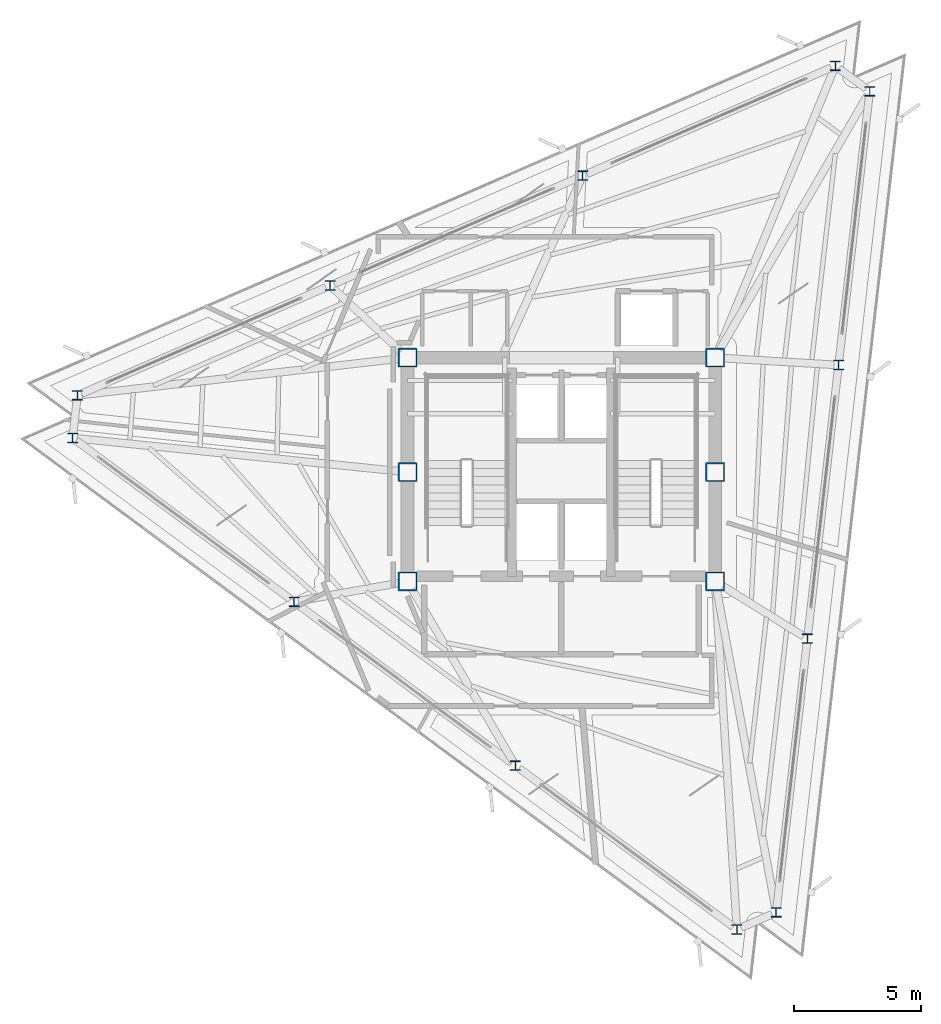
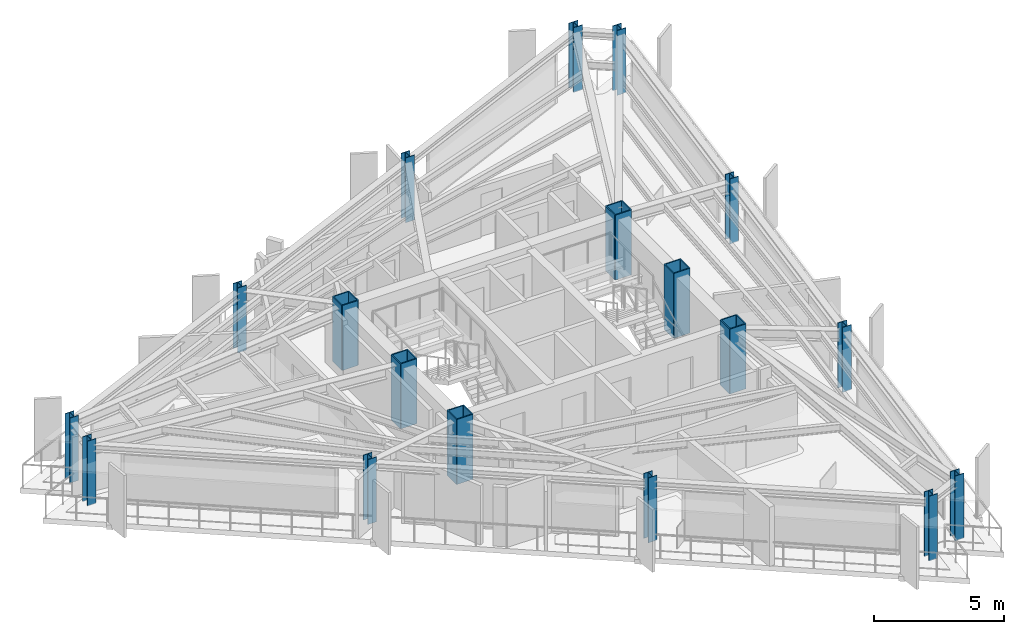
# One storey, part 1 of 10: 18 columns.
"""IFC4 building model written with IfcOpenShell, lengths in metres."""

import ifcopenshell
import ifcopenshell.guid

model = None  # the IFC model being written
_history = None  # IfcOwnerHistory: only IFC2X3 demands one
_inside = {}  # id of a spatial element -> (the spatial element, [elements in it])
_under = {}  # id of a project, library or spatial element -> (it, [spatial elements below it])
_declared = {}  # id of a project -> (the project, [libraries it declares])
_typed = {}  # id of a type object -> (the type object, [elements of that type])
_made_of = {}  # id of a material, layer set ... -> (it, [elements and type objects made of it])


def new_model(schema):
    """Start an empty IFC model of exactly this schema.

    Asked for "IFC4X3", IfcOpenShell would pick the latest addendum, in which some entities
    have other attributes; the version numbers below select the first issue.
    IFC2X3 requires an IfcOwnerHistory on every rooted entity: one is made here for all.
    """
    global model, _history
    if schema == "IFC4X3":
        model = ifcopenshell.file(schema_version=(4, 3, 0, 0))
    else:
        model = ifcopenshell.file(schema=schema)
    _inside.clear()
    _under.clear()
    _declared.clear()
    _typed.clear()
    _made_of.clear()
    _history = None
    if model.schema == "IFC2X3":
        org = make("IfcOrganization", Name="unknown")
        user = make(
            "IfcPersonAndOrganization",
            ThePerson=make("IfcPerson", FamilyName="unknown"),
            TheOrganization=org,
        )
        app = make(
            "IfcApplication",
            ApplicationDeveloper=org,
            Version="unknown",
            ApplicationFullName="unknown",
            ApplicationIdentifier="unknown",
        )
        _history = make(
            "IfcOwnerHistory",
            OwningUser=user,
            OwningApplication=app,
            ChangeAction="ADDED",
            CreationDate=0,
        )
    return model


def make(cls, **values):
    """One entity of the class cls with the attributes given. An attribute that is None is left unset."""
    return model.create_entity(
        cls, **{name: value for name, value in values.items() if value is not None}
    )


def rooted(cls, **values):
    """An entity with a GlobalId (a new one), such as an element, a storey or a relation."""
    return make(cls, GlobalId=ifcopenshell.guid.new(), OwnerHistory=_history, **values)


def si_unit(unit_type, name, prefix=None):
    """IfcSIUnit, for example si_unit("LENGTHUNIT", "METRE", prefix="MILLI")."""
    return make("IfcSIUnit", UnitType=unit_type, Prefix=prefix, Name=name)


def assignment(units):
    """IfcUnitAssignment: the units of a project."""
    return None if units is None else make("IfcUnitAssignment", Units=units)


def point(xyz):
    """IfcCartesianPoint."""
    return None if xyz is None else make("IfcCartesianPoint", Coordinates=xyz)


def direction(xyz):
    """IfcDirection."""
    return None if xyz is None else make("IfcDirection", DirectionRatios=xyz)


def frame(location, z_axis=None, x_axis=None):
    """IfcAxis2Placement3D, a coordinate frame: its origin and axes. An axis left out is left unset."""
    return make(
        "IfcAxis2Placement3D",
        Location=point(location),
        Axis=direction(z_axis),
        RefDirection=direction(x_axis),
    )


def frame_2d(location, x_axis=None):
    """IfcAxis2Placement2D, a coordinate frame in the plane: its origin and x axis."""
    return make(
        "IfcAxis2Placement2D", Location=point(location), RefDirection=direction(x_axis)
    )


def origin():
    """The frame at (0, 0, 0) with its axes left unset."""
    return frame((0.0, 0.0, 0.0))


def origin_2d():
    """The frame at (0, 0) in the plane with its x axis left unset."""
    return frame_2d((0.0, 0.0))


def place(relative_to, where):
    """IfcLocalPlacement: puts the frame where relative to a parent placement (None: the world)."""
    return make(
        "IfcLocalPlacement", PlacementRelTo=relative_to, RelativePlacement=where
    )


def context(
    kind, dimensions, precision=None, world=None, true_north=None, identifier=None
):
    """IfcGeometricRepresentationContext, for example the 3D "Model" context."""
    return make(
        "IfcGeometricRepresentationContext",
        ContextIdentifier=identifier,
        ContextType=kind,
        CoordinateSpaceDimension=dimensions,
        Precision=precision,
        WorldCoordinateSystem=world,
        TrueNorth=true_north,
    )


def subcontext(parent, identifier, kind, view, scale=None):
    """IfcGeometricRepresentationSubContext, for example "Body" below "Model"."""
    return make(
        "IfcGeometricRepresentationSubContext",
        ContextIdentifier=identifier,
        ContextType=kind,
        ParentContext=parent,
        TargetScale=scale,
        TargetView=view,
    )


def project(units=None, contexts=None):
    """IfcProject with its units and contexts."""
    return rooted(
        "IfcProject",
        Name="project",
        RepresentationContexts=contexts,
        UnitsInContext=assignment(units),
    )


def spatial(cls, under=None, at=None, **own):
    """A site, building, storey or space (cls), placed at a placement, below another one or the project."""
    s = rooted(cls, ObjectPlacement=at, **own)
    if under is not None:
        _under.setdefault(under.id(), (under, []))[1].append(s)
    return s


def profile(cls, at=None, kind="AREA", **sizes):
    """A parametric profile (cls). Its sizes go by their IFC names, for example OverallWidth=200.0."""
    return make(cls, ProfileType=kind, Position=at, **sizes)


def hollow_rectangle(**sizes):
    """IfcRectangleHollowProfileDef."""
    return profile("IfcRectangleHollowProfileDef", **sizes)


def i_section(**sizes):
    """IfcIShapeProfileDef."""
    return profile("IfcIShapeProfileDef", **sizes)


def extrude(swept, where, along, depth):
    """IfcExtrudedAreaSolid: the profile swept, set in the frame where, extruded along a direction by depth."""
    return make(
        "IfcExtrudedAreaSolid",
        SweptArea=swept,
        Position=where,
        ExtrudedDirection=direction(along),
        Depth=depth,
    )


def shape(context_of_items, identifier, shape_type, items):
    """IfcShapeRepresentation: the items that make up one representation, for example the "Body"."""
    return make(
        "IfcShapeRepresentation",
        ContextOfItems=context_of_items,
        RepresentationIdentifier=identifier,
        RepresentationType=shape_type,
        Items=items,
    )


def material(Name=None, Category=None):
    """IfcMaterial."""
    return make("IfcMaterial", Name=Name, Category=Category)


def material_profile(
    of_material, cross_section, Name=None, Category=None, Priority=None
):
    """IfcMaterialProfile: a cross section and its material."""
    return make(
        "IfcMaterialProfile",
        Name=Name,
        Material=of_material,
        Profile=cross_section,
        Priority=Priority,
        Category=Category,
    )


def profile_set(profiles, Name=None, composite=None):
    """IfcMaterialProfileSet."""
    return make(
        "IfcMaterialProfileSet",
        Name=Name,
        MaterialProfiles=profiles,
        CompositeProfile=composite,
    )


def made_of(thing, what):
    """Note that an element or type object is made of a material, layer set ...; save() writes the relation."""
    if what is not None:
        _made_of.setdefault(what.id(), (what, []))[1].append(thing)
    return thing


def type_object(cls, material=None, **own):
    """A type object (cls), such as IfcWallType, which elements share."""
    return made_of(rooted(cls, **own), material)


def element(
    cls,
    number,
    at=None,
    inside=None,
    cuts=None,
    type_object=None,
    material=None,
    context=None,
    identifier="Body",
    shape_type=None,
    held_by="IfcProductDefinitionShape",
    body=None,
    shapes=None,
    **own,
):
    """One element of the class cls, such as IfcWall. Its Tag is "e" and its number.

    at: its placement. inside: the storey or other place that contains it. cuts: it is an
    opening in that element (IfcRelVoidsElement). A single representation is given by context,
    identifier, shape_type and body (its items); several are given by shapes. held_by: the class
    of the entity that holds the representations. save() writes the other relations.
    """
    e = rooted(cls, Tag="e%d" % number, ObjectPlacement=at, **own)
    if body is not None:
        shapes = [shape(context, identifier, shape_type, body)]
    if shapes is not None:
        e.Representation = make(held_by, Representations=shapes)
    if inside is not None:
        _inside.setdefault(inside.id(), (inside, []))[1].append(e)
    if cuts is not None:
        rooted(
            "IfcRelVoidsElement", RelatingBuildingElement=cuts, RelatedOpeningElement=e
        )
    if type_object is not None:
        _typed.setdefault(type_object.id(), (type_object, []))[1].append(e)
    return made_of(e, material)


def aggregate(whole, parts):
    """IfcRelAggregates: a whole, such as a stair, and the parts it consists of."""
    return rooted("IfcRelAggregates", RelatingObject=whole, RelatedObjects=parts)


def save(model, path):
    """Write the relations noted so far, then the file.

    IfcRelAggregates (storeys below a building ...), IfcRelContainedInSpatialStructure (elements
    in a storey), IfcRelDefinesByType, IfcRelAssociatesMaterial and IfcRelDeclares: one each for
    every whole, place, type object, material and project.
    """
    for whole, parts in _under.values():
        aggregate(whole, parts)
    for where, things in _inside.values():
        rooted(
            "IfcRelContainedInSpatialStructure",
            RelatedElements=things,
            RelatingStructure=where,
        )
    for kind, things in _typed.values():
        rooted("IfcRelDefinesByType", RelatedObjects=things, RelatingType=kind)
    for what, things in _made_of.values():
        rooted("IfcRelAssociatesMaterial", RelatedObjects=things, RelatingMaterial=what)
    for by, libraries in _declared.values():
        rooted("IfcRelDeclares", RelatingContext=by, RelatedDefinitions=libraries)
    model.write(path)


model = new_model("IFC4")

# Units and contexts
model_context = context("Model", 3, precision=1e-05, world=origin(), true_north=direction((0.0, 1.0)))
body_context = subcontext(model_context, "Body", "Model", "MODEL_VIEW")
ifc_project = project(units=[si_unit("LENGTHUNIT", "METRE"), si_unit("AREAUNIT", "SQUARE_METRE"), si_unit("VOLUMEUNIT", "CUBIC_METRE"), si_unit("PLANEANGLEUNIT", "RADIAN"), si_unit("MASSUNIT", "GRAM", prefix="KILO")], contexts=[model_context])

# Site, building, storey
site_placement = place(None, origin())
site = spatial("IfcSite", under=ifc_project, at=site_placement, CompositionType="ELEMENT")
building_placement = place(site_placement, origin())
building = spatial("IfcBuilding", under=site, at=building_placement, Name="Rocaltana Carrier Exchange", CompositionType="ELEMENT")
storey_placement = place(building_placement, frame((0.0, 0.0, 224.0)))
storey = spatial("IfcBuildingStorey", under=building, at=storey_placement, Name="L71", CompositionType="ELEMENT", Elevation=224.0)

# Columns
ifc_material_1 = material(Name="Steel S460", Category="steel")
ifc_material_profile_1 = material_profile(ifc_material_1, hollow_rectangle(XDim=0.75, YDim=0.75, WallThickness=0.050048828125, InnerFilletRadius=0.02001953125, OuterFilletRadius=0.0400390625, at=origin_2d()), Name="BOX750X750X50")
ifc_profile_set_1 = profile_set([ifc_material_profile_1], Name="Steel S460")
column_type_1 = type_object("IfcColumnType", Name="Core Mega-Column BOX750", PredefinedType="COLUMN", material=ifc_profile_set_1)
for number, where, z_axis, x_axis, name in (
    (1, (-6.050048828125, 4.5, 0.0), (0.0, 0.0, 1.0), (1.0, 0.0, 0.0), "L71 Core Mega-Column MC1"),
    (2, (6.050048828125, 4.5, 0.0), (0.0, 0.0, 1.0), (1.0, 0.0, 0.0), "L71 Core Mega-Column MC2"),
    (3, (-6.050048828125, 0.0, 0.0), (0.0, 0.0, 1.0), (1.0, 0.0, 0.0), "L71 Core Mega-Column MC3"),
    (4, (6.050048828125, 0.0, 0.0), (0.0, 0.0, 1.0), (1.0, 0.0, 0.0), "L71 Core Mega-Column MC4"),
    (5, (-6.050048828125, -4.300048828125, 0.0), (0.0, 0.0, 1.0), (1.0, 0.0, 0.0), "L71 Core Mega-Column MC5"),
    (6, (6.050048828125, -4.300048828125, 0.0), (0.0, 0.0, 1.0), (1.0, 0.0, 0.0), "L71 Core Mega-Column MC6"),
):
    element("IfcColumn", number, at=place(storey_placement, frame(where, z_axis=z_axis, x_axis=x_axis)), inside=storey, type_object=column_type_1, Name=name, PredefinedType="COLUMN", context=body_context, shape_type="SweptSolid", body=[
        extrude(hollow_rectangle(XDim=0.75, YDim=0.75, WallThickness=0.050048828125, InnerFilletRadius=0.02001953125, OuterFilletRadius=0.0400390625, at=origin_2d()), origin(), (0.0, 0.0, 1.0), 3.0400390625),
    ])
ifc_material_2 = material(Name="Steel S355", Category="steel")
ifc_material_profile_2 = material_profile(ifc_material_2, i_section(OverallWidth=0.39404296875, OverallDepth=0.375, WebThickness=0.017333984375, FlangeThickness=0.027587890625, FilletRadius=0.01611328125, at=origin_2d()), Name="W14X145")
ifc_profile_set_2 = profile_set([ifc_material_profile_2], Name="Steel S355")
column_type_2 = type_object("IfcColumnType", Name="Perimeter Column W14X145", PredefinedType="COLUMN", material=ifc_profile_set_2)
for number, where, z_axis, x_axis, name in (
    (7, (8.448486328125, -17.317626953125, 0.0), (0.0, 0.0, 1.0), (1.0, 0.0, 0.0), "L71 Perimeter Column TC01"),
    (8, (9.675048828125, -6.553955078125, 0.0), (0.0, 0.0, 1.0), (1.0, 0.0, 0.0), "L71 Perimeter Column TC02"),
    (9, (10.9013671875, 4.209716796875, 0.0), (0.0, 0.0, 1.0), (1.0, 0.0, 0.0), "L71 Perimeter Column TC03"),
    (10, (12.127685546875, 14.973388671875, 0.0), (0.0, 0.0, 1.0), (1.0, 0.0, 0.0), "L71 Perimeter Column TC04"),
    (11, (10.773193359375, 15.9755859375, 0.0), (0.0, 0.0, 1.0), (1.0, 0.0, 0.0), "L71 Perimeter Column TC05"),
    (12, (0.83837890625, 11.65576171875, 0.0), (0.0, 0.0, 1.0), (1.0, 0.0, 0.0), "L71 Perimeter Column TC06"),
    (13, (-9.096435546875, 7.3359375, 0.0), (0.0, 0.0, 1.0), (1.0, 0.0, 0.0), "L71 Perimeter Column TC07"),
    (14, (-19.03125, 3.01611328125, 0.0), (0.0, 0.0, 1.0), (1.0, 0.0, 0.0), "L71 Perimeter Column TC08"),
    (15, (-19.221923828125, 1.342041015625, 0.0), (0.0, 0.0, 1.0), (1.0, 0.0, 0.0), "L71 Perimeter Column TC09"),
    (16, (-10.513427734375, -5.101806640625, 0.0), (0.0, 0.0, 1.0), (1.0, 0.0, 0.0), "L71 Perimeter Column TC10"),
    (17, (-1.804931640625, -11.545654296875, 0.0), (0.0, 0.0, 1.0), (1.0, 0.0, 0.0), "L71 Perimeter Column TC11"),
    (18, (6.9033203125, -17.989501953125, 0.0), (0.0, 0.0, 1.0), (1.0, 0.0, 0.0), "L71 Perimeter Column TC12"),
):
    element("IfcColumn", number, at=place(storey_placement, frame(where, z_axis=z_axis, x_axis=x_axis)), inside=storey, type_object=column_type_2, Name=name, PredefinedType="COLUMN", context=body_context, shape_type="SweptSolid", body=[
        extrude(i_section(OverallWidth=0.39404296875, OverallDepth=0.375, WebThickness=0.017333984375, FlangeThickness=0.027587890625, FilletRadius=0.01611328125, at=origin_2d()), origin(), (0.0, 0.0, 1.0), 3.0400390625),
    ])

save(model, "model.ifc")
